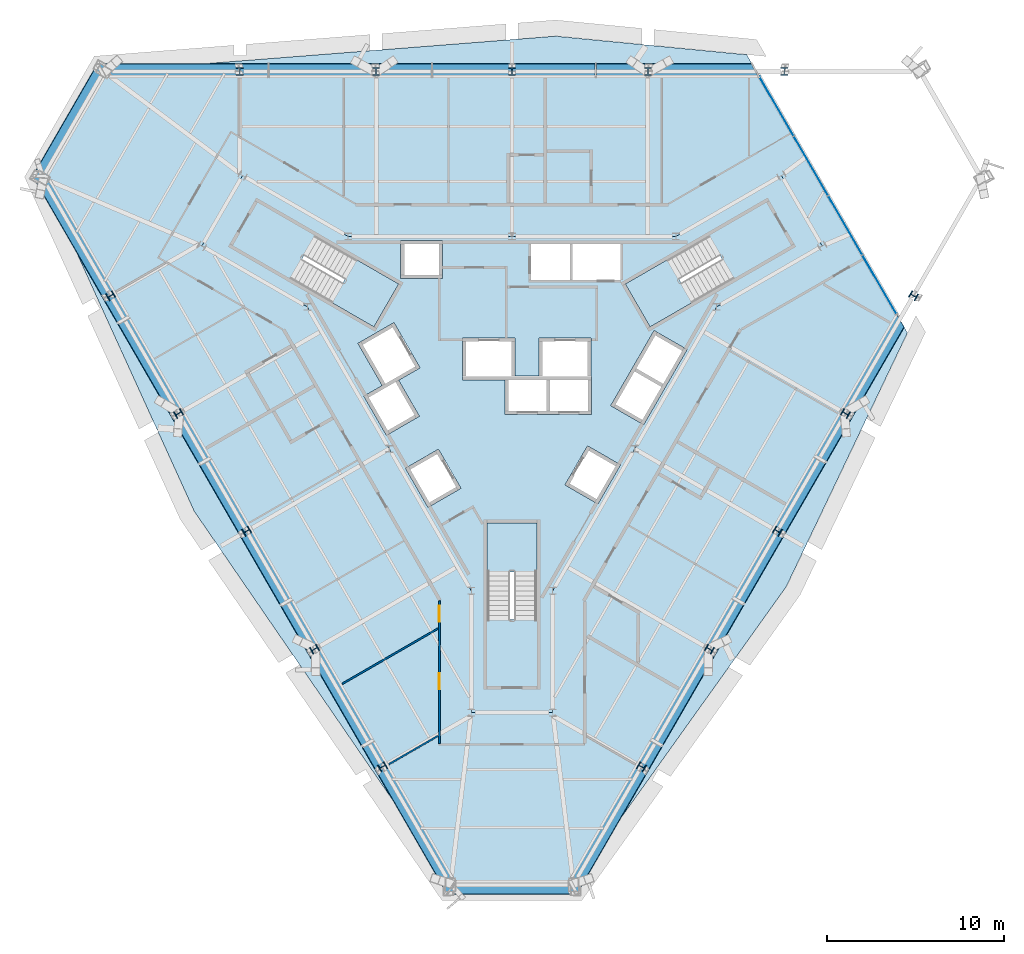
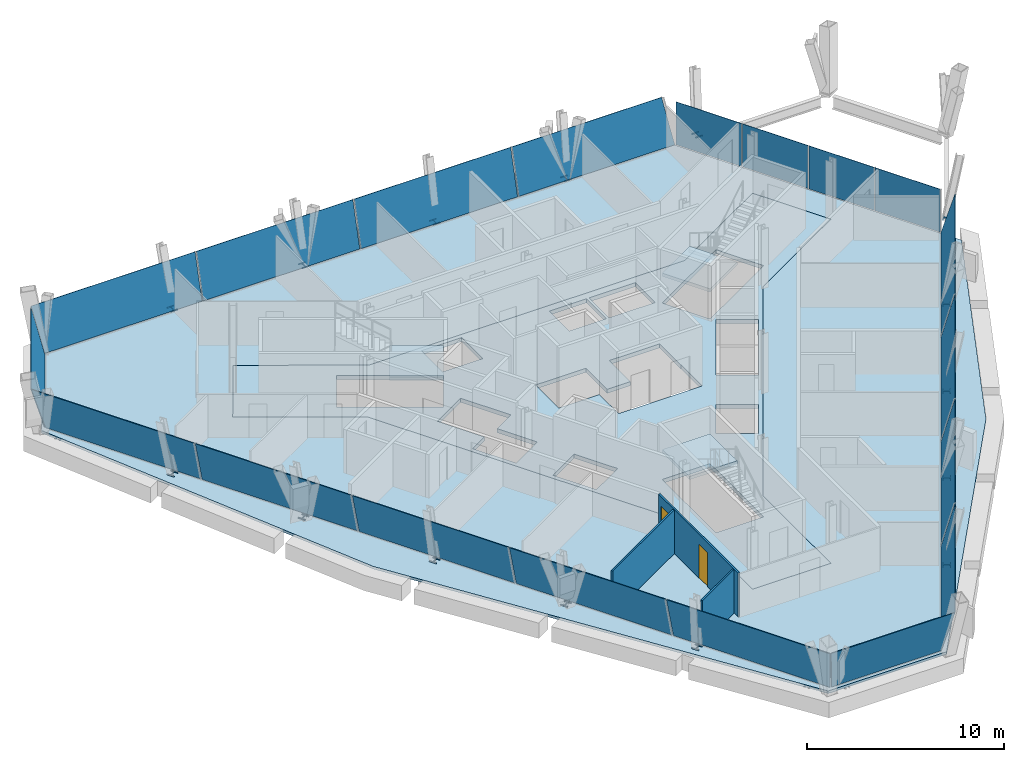
# One storey, part 6 of 12: 19 plates, 15 members, 5 slabs, 3 walls, 2 doors, 2 openings, 9 elements without a shape of their own.
"""IFC4 building model written with IfcOpenShell, lengths in metres."""

from ifc_helpers import new_model, si_unit, direction, frame, frame_2d, origin, origin_2d, place, context, subcontext, project, spatial, polyline, rectangle, i_section, outline, extrude, material, layer, layer_set, material_profile, profile_set, type_object, element, fill, aggregate, save


model = new_model("IFC4")

# Units and contexts
model_context = context("Model", 3, precision=1e-05, world=origin(), true_north=direction((0.0, 1.0)))
body_context = subcontext(model_context, "Body", "Model", "MODEL_VIEW")
ifc_project = project(units=[si_unit("LENGTHUNIT", "METRE"), si_unit("AREAUNIT", "SQUARE_METRE"), si_unit("VOLUMEUNIT", "CUBIC_METRE"), si_unit("PLANEANGLEUNIT", "RADIAN"), si_unit("MASSUNIT", "GRAM", prefix="KILO")], contexts=[model_context])

# Site, building, storey
site_placement = place(None, origin())
site = spatial("IfcSite", under=ifc_project, at=site_placement, CompositionType="ELEMENT")
building_placement = place(site_placement, origin())
building = spatial("IfcBuilding", under=site, at=building_placement, Name="Verrane Prism Tower", CompositionType="ELEMENT")
storey_placement = place(building_placement, frame((0.0, 0.0, 174.699951171875)))
storey = spatial("IfcBuildingStorey", under=building, at=storey_placement, Name="L43", CompositionType="ELEMENT", Elevation=174.699951171875)

# Members
ifc_material_1 = material(Name="Steel A992", Category="steel")
ifc_material_profile = material_profile(ifc_material_1, i_section(OverallWidth=0.411376953125, OverallDepth=0.434326171875, WebThickness=0.035888671875, FlangeThickness=0.057373046875, FilletRadius=0.01513671875, at=origin_2d()), Name="W14x311")
ifc_profile_set = profile_set([ifc_material_profile], Name="Steel A992")
member_type = type_object("IfcMemberType", Name="Kink node W14x311", PredefinedType="COLLAR", material=ifc_profile_set)
member_1_placement = place(storey_placement, frame((15.371337890625, 17.313720703125, -0.0400390625), z_axis=(0.0, 0.0, 1.0), x_axis=(1.0, 0.0, 0.0)))
element("IfcMember", 1, at=member_1_placement, inside=storey, type_object=member_type, Name="Kink node PC6 L43", PredefinedType="COLLAR", context=body_context, shape_type="SweptSolid", body=[
    extrude(i_section(OverallWidth=0.411376953125, OverallDepth=0.434326171875, WebThickness=0.035888671875, FlangeThickness=0.057373046875, FilletRadius=0.01513671875, at=origin_2d()), origin(), (0.0, 0.0, 1.0), 0.080078125),
])
for number, where, z_axis, x_axis, name in (
    (2, (7.6806640625, 17.313232421875, -0.034912109375), (0.0, 0.0, 1.0), (1.0, 0.0, 0.0), "Kink node PC6 L43"),
    (3, (0.0, 17.313232421875, -0.034912109375), (0.0, 0.0, 1.0), (1.0, 0.0, 0.0), "Kink node PC6 L43"),
    (4, (-7.6806640625, 17.313232421875, -0.034912109375), (0.0, 0.0, 1.0), (1.0, 0.0, 0.0), "Kink node PC6 L43"),
):
    element("IfcMember", number, at=place(storey_placement, frame(where, z_axis=z_axis, x_axis=x_axis)), inside=storey, type_object=member_type, Name=name, PredefinedType="COLLAR", context=body_context, shape_type="SweptSolid", body=[
        extrude(i_section(OverallWidth=0.411376953125, OverallDepth=0.434326171875, WebThickness=0.035888671875, FlangeThickness=0.057373046875, FilletRadius=0.01513671875, at=origin_2d()), origin(), (0.0, 0.0, 1.0), 0.070068359375),
    ])
for number, where, z_axis, x_axis, name in (
    (5, (-15.371337890625, 17.313720703125, -0.0400390625), (0.0, 0.0, 1.0), (1.0, 0.0, 0.0), "Kink node PC6 L43"),
    (6, (7.3125, -21.963134765625, -0.0400390625), (0.0, 0.0, 1.0), (-0.5, -0.866025403784, 0.0), "Kink node PC6 L43"),
):
    element("IfcMember", number, at=place(storey_placement, frame(where, z_axis=z_axis, x_axis=x_axis)), inside=storey, type_object=member_type, Name=name, PredefinedType="COLLAR", context=body_context, shape_type="SweptSolid", body=[
        extrude(i_section(OverallWidth=0.411376953125, OverallDepth=0.434326171875, WebThickness=0.035888671875, FlangeThickness=0.057373046875, FilletRadius=0.01513671875, at=origin_2d()), origin(), (0.0, 0.0, 1.0), 0.080078125),
    ])
for number, where, z_axis, x_axis, name in (
    (7, (11.152587890625, -15.312255859375, -0.034912109375), (0.0, 0.0, 1.0), (-0.5, -0.866025403784, 0.0), "Kink node PC6 L43"),
    (8, (14.992919921875, -8.651611328125, -0.034912109375), (0.0, 0.0, 1.0), (-0.5, -0.866025403784, 0.0), "Kink node PC6 L43"),
    (9, (18.833251953125, -2.001220703125, -0.034912109375), (0.0, 0.0, 1.0), (-0.5, -0.866025403784, 0.0), "Kink node PC6 L43"),
):
    element("IfcMember", number, at=place(storey_placement, frame(where, z_axis=z_axis, x_axis=x_axis)), inside=storey, type_object=member_type, Name=name, PredefinedType="COLLAR", context=body_context, shape_type="SweptSolid", body=[
        extrude(i_section(OverallWidth=0.411376953125, OverallDepth=0.434326171875, WebThickness=0.035888671875, FlangeThickness=0.057373046875, FilletRadius=0.01513671875, at=origin_2d()), origin(), (0.0, 0.0, 1.0), 0.070068359375),
    ])
for number, where, z_axis, x_axis, name in (
    (10, (22.674072265625, 4.6494140625, -0.0400390625), (0.0, 0.0, 1.0), (-0.5, -0.866025403784, 0.0), "Kink node PC6 L43"),
    (11, (-22.674072265625, 4.6494140625, -0.0400390625), (0.0, 0.0, 1.0), (-0.5, 0.866025403784, 0.0), "Kink node PC6 L43"),
):
    element("IfcMember", number, at=place(storey_placement, frame(where, z_axis=z_axis, x_axis=x_axis)), inside=storey, type_object=member_type, Name=name, PredefinedType="COLLAR", context=body_context, shape_type="SweptSolid", body=[
        extrude(i_section(OverallWidth=0.411376953125, OverallDepth=0.434326171875, WebThickness=0.035888671875, FlangeThickness=0.057373046875, FilletRadius=0.01513671875, at=origin_2d()), origin(), (0.0, 0.0, 1.0), 0.080078125),
    ])
for number, where, z_axis, x_axis, name in (
    (12, (-18.833251953125, -2.001220703125, -0.034912109375), (0.0, 0.0, 1.0), (-0.5, 0.866025403784, 0.0), "Kink node PC6 L43"),
    (13, (-14.992919921875, -8.651611328125, -0.034912109375), (0.0, 0.0, 1.0), (-0.5, 0.866025403784, 0.0), "Kink node PC6 L43"),
    (14, (-11.152587890625, -15.312255859375, -0.034912109375), (0.0, 0.0, 1.0), (-0.5, 0.866025403784, 0.0), "Kink node PC6 L43"),
):
    element("IfcMember", number, at=place(storey_placement, frame(where, z_axis=z_axis, x_axis=x_axis)), inside=storey, type_object=member_type, Name=name, PredefinedType="COLLAR", context=body_context, shape_type="SweptSolid", body=[
        extrude(i_section(OverallWidth=0.411376953125, OverallDepth=0.434326171875, WebThickness=0.035888671875, FlangeThickness=0.057373046875, FilletRadius=0.01513671875, at=origin_2d()), origin(), (0.0, 0.0, 1.0), 0.070068359375),
    ])
member_2_placement = place(storey_placement, frame((-7.3125, -21.963134765625, -0.0400390625), z_axis=(0.0, 0.0, 1.0), x_axis=(-0.5, 0.866025403784, 0.0)))
element("IfcMember", 15, at=member_2_placement, inside=storey, type_object=member_type, Name="Kink node PC6 L43", PredefinedType="COLLAR", context=body_context, shape_type="SweptSolid", body=[
    extrude(i_section(OverallWidth=0.411376953125, OverallDepth=0.434326171875, WebThickness=0.035888671875, FlangeThickness=0.057373046875, FilletRadius=0.01513671875, at=origin_2d()), origin(), (0.0, 0.0, 1.0), 0.080078125),
])

# Slabs
ifc_material_2 = material(Name="Concrete C35/45", Category="concrete")
ifc_layer_1 = layer(ifc_material_2, 0.159912109375)
ifc_layer_set_1 = layer_set([ifc_layer_1], Name="Composite floor slab")
slab_type_1 = type_object("IfcSlabType", Name="Composite floor slab", PredefinedType="FLOOR", material=ifc_layer_set_1)
slab_1_placement = place(storey_placement, frame((0.0, 0.0, -0.159912109375)))
element("IfcSlab", 16, at=slab_1_placement, inside=storey, type_object=slab_type_1, Name="Floor slab L43", PredefinedType="FLOOR", context=body_context, shape_type="SweptSolid", body=[
    extrude(outline(polyline([(15.49365234375, -11.7841796875), (3.467041015625, -28.614990234375), (-3.467041015625, -28.614990234375), (-17.9521484375, -7.52587890625), (-26.514892578125, 11.304931640625), (-23.0478515625, 17.31005859375), (2.45849609375, 19.31005859375), (13.261474609375, 18.260498046875), (22.333984375, 2.54638671875), (15.49365234375, -11.7841796875)]), holes=[polyline([(17.52001953125, 7.4599609375), (15.219970703125, 11.43994140625), (9.260009765625, 8.0), (0.0, 8.0), (-9.260009765625, 8.0), (-15.219970703125, 11.43994140625), (-17.52001953125, 7.4599609375), (-11.56005859375, 4.02001953125), (-6.929931640625, -4.0), (-2.300048828125, -12.02001953125), (-2.300048828125, -18.89990234375), (2.300048828125, -18.89990234375), (2.300048828125, -12.02001953125), (6.929931640625, -4.0), (11.56005859375, 4.02001953125), (17.52001953125, 7.4599609375)])]), origin(), (0.0, 0.0, 1.0), 0.159912109375),
])
ifc_material_3 = material(Name="Concrete C40/50", Category="concrete")
ifc_layer_2 = layer(ifc_material_3, 0.25)
ifc_layer_set_2 = layer_set([ifc_layer_2], Name="Core floor slab 250 concrete C40/50")
slab_type_2 = type_object("IfcSlabType", Name="Core floor slab 250 concrete C40/50", PredefinedType="FLOOR", material=ifc_layer_set_2)
slab_2_placement = place(storey_placement, frame((0.0, 0.0, -0.25)))
element("IfcSlab", 17, at=slab_2_placement, inside=storey, type_object=slab_type_2, Name="Core floor L43", PredefinedType="FLOOR", context=body_context, shape_type="SweptSolid", body=[
    extrude(outline(polyline([(11.56005859375, 4.02001953125), (17.52001953125, 7.4599609375), (15.219970703125, 11.43994140625), (9.260009765625, 8.0), (0.0, 8.0), (-9.260009765625, 8.0), (-15.219970703125, 11.43994140625), (-17.52001953125, 7.4599609375), (-11.56005859375, 4.02001953125), (-6.929931640625, -4.0), (-2.300048828125, -12.02001953125), (-2.300048828125, -18.89990234375), (2.300048828125, -18.89990234375), (2.300048828125, -12.02001953125), (6.929931640625, -4.0), (11.56005859375, 4.02001953125)]), holes=[polyline([(1.39990234375, -8.199951171875), (1.39990234375, -13.639892578125), (-1.39990234375, -13.639892578125), (-1.39990234375, -8.199951171875), (1.39990234375, -8.199951171875)]), polyline([(-2.881103515625, -6.22998046875), (-4.742919921875, -7.304931640625), (-6.01806640625, -5.096923828125), (-4.156005859375, -4.02197265625), (-2.881103515625, -6.22998046875)]), polyline([(-7.801025390625, 2.887939453125), (-12.512939453125, 5.60791015625), (-11.113037109375, 8.031982421875), (-6.40087890625, 5.31201171875), (-7.801025390625, 2.887939453125)]), polyline([(-6.284912109375, 5.610107421875), (-6.284912109375, 7.760009765625), (-3.93505859375, 7.760009765625), (-3.93505859375, 5.610107421875), (-6.284912109375, 5.610107421875)]), polyline([(4.26611328125, -3.8310546875), (6.1279296875, -4.906005859375), (4.85302734375, -7.114990234375), (2.990966796875, -6.0400390625), (4.26611328125, -3.8310546875)]), polyline([(7.43798828125, -2.636962890625), (5.575927734375, -1.56201171875), (8.02587890625, 2.680908203125), (9.887939453125, 1.60595703125), (7.43798828125, -2.636962890625)]), polyline([(0.1650390625, 0.10009765625), (1.52490234375, 0.10009765625), (1.52490234375, 2.25), (4.47509765625, 2.25), (4.47509765625, 0.10009765625), (4.4951171875, 0.10009765625), (4.4951171875, -2.050048828125), (-0.405029296875, -2.050048828125), (-0.405029296875, -0.10009765625), (-2.784912109375, -0.10009765625), (-2.784912109375, 2.25), (0.1650390625, 2.25), (0.1650390625, 0.10009765625)]), polyline([(6.40087890625, 5.31201171875), (11.113037109375, 8.031982421875), (12.512939453125, 5.60791015625), (7.801025390625, 2.887939453125), (6.40087890625, 5.31201171875)]), polyline([(1.074951171875, 5.534912109375), (1.074951171875, 7.56005859375), (3.264892578125, 7.56005859375), (3.264892578125, 5.534912109375), (1.074951171875, 5.534912109375)]), polyline([(3.4150390625, 7.56005859375), (6.125, 7.56005859375), (6.125, 5.534912109375), (3.4150390625, 5.534912109375), (3.4150390625, 7.56005859375)]), polyline([(-5.23095703125, -2.159912109375), (-7.093017578125, -3.235107421875), (-8.367919921875, -1.02587890625), (-7.3291015625, -0.426025390625), (-8.7041015625, 1.955078125), (-6.66796875, 3.1298828125), (-5.193115234375, 0.574951171875), (-6.406005859375, -0.125), (-5.23095703125, -2.159912109375)])]), origin(), (0.0, 0.0, 1.0), 0.25),
])

# Curtain wall, plates
ifc_material_4 = material(Name="Aluminium framed insulated glazing", Category="aluminium")
curtain_wall_type_1 = type_object("IfcCurtainWallType", Name="Curtain wall CW-C 4200 module", PredefinedType="NOTDEFINED", material=ifc_material_4)
curtain_wall_1_placement = place(storey_placement, origin())
curtain_wall_1 = element("IfcCurtainWall", 18, at=curtain_wall_1_placement, inside=storey, type_object=curtain_wall_type_1, Name="Glazed curtain wall garden cut line L43 1", PredefinedType="NOTDEFINED")
ifc_material_5 = material(Name="Low-iron insulating glass unit", Category="glass")
ifc_layer_3 = layer(ifc_material_5, 0.02392578125)
ifc_layer_set_3 = layer_set([ifc_layer_3], Name="Glazing panel IGU 24")
plate_type_1 = type_object("IfcPlateType", Name="Glazing panel IGU 24", PredefinedType="CURTAIN_PANEL", material=ifc_layer_set_3)
plate_1_placement = place(storey_placement, frame((20.75830078125, 5.275634765625, 0.05029296875), z_axis=(0.0, 0.0, 1.0), x_axis=(-0.499998595862, 0.866026214463, 0.0)))
plate_1 = element("IfcPlate", 19, at=plate_1_placement, type_object=plate_type_1, Name="CW42.1.1 panel 1", PredefinedType="CURTAIN_PANEL", context=body_context, shape_type="SweptSolid", body=[
    extrude(rectangle(XDim=3.806884765625, YDim=0.02392578125, at=origin_2d()), origin(), (0.0, 0.0, 1.0), 2.662841796875),
])
plate_2_placement = place(storey_placement, frame((18.823486328125, 8.626708984375, 0.05029296875), z_axis=(0.0, 0.0, 1.0), x_axis=(-0.499998595862, 0.866026214463, 0.0)))
plate_2 = element("IfcPlate", 20, at=plate_2_placement, type_object=plate_type_1, Name="CW42.1.1 panel 2", PredefinedType="CURTAIN_PANEL", context=body_context, shape_type="SweptSolid", body=[
    extrude(rectangle(XDim=3.831787109375, YDim=0.02392578125, at=origin_2d()), origin(), (0.0, 0.0, 1.0), 2.662841796875),
])
plate_3_placement = place(storey_placement, frame((16.882568359375, 11.98828125, 0.05029296875), z_axis=(0.0, 0.0, 1.0), x_axis=(-0.499998595862, 0.866026214463, 0.0)))
plate_3 = element("IfcPlate", 21, at=plate_3_placement, type_object=plate_type_1, Name="CW42.1.1 panel 3", PredefinedType="CURTAIN_PANEL", context=body_context, shape_type="SweptSolid", body=[
    extrude(rectangle(XDim=3.831787109375, YDim=0.02392578125, at=origin_2d()), origin(), (0.0, 0.0, 1.0), 2.662841796875),
])
plate_4_placement = place(storey_placement, frame((14.935546875, 15.36083984375, 0.05029296875), z_axis=(0.0, 0.0, 1.0), x_axis=(-0.499998595862, 0.866026214463, 0.0)))
plate_4 = element("IfcPlate", 22, at=plate_4_placement, type_object=plate_type_1, Name="CW42.1.1 panel 4", PredefinedType="CURTAIN_PANEL", context=body_context, shape_type="SweptSolid", body=[
    extrude(rectangle(XDim=3.856689453125, YDim=0.02392578125, at=origin_2d()), origin(), (0.0, 0.0, 1.0), 2.662841796875),
])
aggregate(curtain_wall_1, [plate_1, plate_2, plate_3, plate_4])

ifc_material_6 = material(Name="Aluminium framed insulated glazing", Category="aluminium")
curtain_wall_type_2 = type_object("IfcCurtainWallType", Name="Curtain wall CW-A 8400 module", PredefinedType="NOTDEFINED", material=ifc_material_6)
curtain_wall_2_placement = place(storey_placement, origin())
curtain_wall_2 = element("IfcCurtainWall", 23, at=curtain_wall_2_placement, inside=storey, type_object=curtain_wall_type_2, Name="Glazed curtain wall north face L43", PredefinedType="NOTDEFINED")
ifc_material_7 = material(Name="Low-iron insulating glass unit", Category="glass")
ifc_layer_4 = layer(ifc_material_7, 0.031982421875)
ifc_layer_set_4 = layer_set([ifc_layer_4], Name="Glazing panel IGU 32")
plate_type_2 = type_object("IfcPlateType", Name="Glazing panel IGU 32", PredefinedType="CURTAIN_PANEL", material=ifc_layer_set_4)
plate_5_placement = place(storey_placement, frame((13.9013671875, 17.031005859375, 0.070068359375), z_axis=(0.0, -0.966670784166, 0.256022645562), x_axis=(-1.0, 0.0, 0.0)))
plate_5 = element("IfcPlate", 24, at=plate_5_placement, type_object=plate_type_2, Name="CW42.2 panel 1", PredefinedType="CURTAIN_PANEL", context=body_context, shape_type="SweptSolid", body=[
    extrude(outline(polyline([(0.0, 0.0), (9.138916015625, 0.0), (9.138916015625, -2.733942422709821), (0.369140625, -2.733942422709821), (0.0, 0.0)])), origin(), (0.0, 0.0, -1.0), 0.031982421875),
])
plate_6_placement = place(storey_placement, frame((4.6923828125, 17.031005859375, 0.070068359375), z_axis=(0.0, -0.966670784166, 0.256022645562), x_axis=(-1.0, 0.0, 0.0)))
plate_6 = element("IfcPlate", 25, at=plate_6_placement, type_object=plate_type_2, Name="CW42.2 panel 2", PredefinedType="CURTAIN_PANEL", context=body_context, shape_type="SweptSolid", body=[
    extrude(outline(polyline([(0.0, 0.0), (9.173828125, 0.0), (9.173828125, -2.733942422709821), (0.0, -2.733942422709821), (0.0, 0.0)])), origin(), (0.0, 0.0, -1.0), 0.031982421875),
])
plate_7_placement = place(storey_placement, frame((-4.55126953125, 17.031005859375, 0.070068359375), z_axis=(0.0, -0.966670784166, 0.256022645562), x_axis=(-1.0, 0.0, 0.0)))
plate_7 = element("IfcPlate", 26, at=plate_7_placement, type_object=plate_type_2, Name="CW42.2 panel 3", PredefinedType="CURTAIN_PANEL", context=body_context, shape_type="SweptSolid", body=[
    extrude(outline(polyline([(0.0, 0.0), (9.173828125, 0.0), (9.173828125, -2.733942422709821), (0.0, -2.733942422709821), (0.0, 0.0)])), origin(), (0.0, 0.0, -1.0), 0.031982421875),
])
plate_8_placement = place(storey_placement, frame((-13.795166015625, 17.031005859375, 0.070068359375), z_axis=(0.0, -0.966670784166, 0.256022645562), x_axis=(-1.0, 0.0, 0.0)))
plate_8 = element("IfcPlate", 27, at=plate_8_placement, type_object=plate_type_2, Name="CW42.2 panel 4", PredefinedType="CURTAIN_PANEL", context=body_context, shape_type="SweptSolid", body=[
    extrude(outline(polyline([(0.0, 0.0), (9.208740234375, 0.0), (9.61328125, -2.733942422709821), (0.0, -2.733942422709821), (0.0, 0.0)])), origin(), (0.0, 0.0, -1.0), 0.031982421875),
])
aggregate(curtain_wall_2, [plate_5, plate_6, plate_7, plate_8])

# Curtain wall, plate
curtain_wall_3_placement = place(storey_placement, origin())
curtain_wall_3 = element("IfcCurtainWall", 28, at=curtain_wall_3_placement, inside=storey, type_object=curtain_wall_type_2, Name="Glazed curtain wall north-west corner L43", PredefinedType="NOTDEFINED")
plate_9_placement = place(storey_placement, frame((-23.0390625, 16.970458984375, 0.070068359375), z_axis=(0.837141006518, -0.483325264665, 0.25610861708), x_axis=(-0.499999698245, -0.866025577975, -6.993259e-06)))
plate_9 = element("IfcPlate", 29, at=plate_9_placement, type_object=plate_type_2, Name="CW42.3 panel 1", PredefinedType="CURTAIN_PANEL", context=body_context, shape_type="SweptSolid", body=[
    extrude(outline(polyline([(0.0, 0.0), (6.42461400191589, 1.1102230246251565e-16), (6.828680718952121, -2.734056235199825), (-0.43905241302016595, -2.7339571772921714), (0.0, 0.0)])), origin(), (0.0, 0.0, -1.0), 0.031982421875),
])
aggregate(curtain_wall_3, [plate_9])

# Curtain wall, plates
curtain_wall_4_placement = place(storey_placement, origin())
curtain_wall_4 = element("IfcCurtainWall", 30, at=curtain_wall_4_placement, inside=storey, type_object=curtain_wall_type_2, Name="Glazed curtain wall south-west face L43", PredefinedType="NOTDEFINED")
plate_10_placement = place(storey_placement, frame((-26.21630859375, 11.345947265625, 0.070068359375), z_axis=(0.837157217861, 0.483340688014, 0.256026506231), x_axis=(0.500005694793, -0.866022115868, 1.36295e-06)))
plate_10 = element("IfcPlate", 31, at=plate_10_placement, type_object=plate_type_2, Name="CW42.4 panel 1", PredefinedType="CURTAIN_PANEL", context=body_context, shape_type="SweptSolid", body=[
    extrude(outline(polyline([(0.0, 0.0), (9.096657160358006, 2.220446049250313e-16), (9.096537606110292, -2.7339324889658077), (-0.43939386621945303, -2.7339587598666073), (0.0, 0.0)])), origin(), (0.0, 0.0, -1.0), 0.031982421875),
])
plate_11_placement = place(storey_placement, frame((-21.633056640625, 3.407470703125, 0.070068359375), z_axis=(0.837149666941, 0.483340734476, 0.256051107275), x_axis=(0.500009425886, -0.866019961678, 0.0)))
plate_11 = element("IfcPlate", 32, at=plate_11_placement, type_object=plate_type_2, Name="CW42.4 panel 2", PredefinedType="CURTAIN_PANEL", context=body_context, shape_type="SweptSolid", body=[
    extrude(outline(polyline([(0.0, 0.0), (9.131663789453372, 2.220446049250313e-16), (9.131749048381865, -2.733963743378566), (8.525892849398087e-05, -2.7339637433785664), (0.0, 0.0)])), origin(), (0.0, 0.0, -1.0), 0.031982421875),
])
plate_12_placement = place(storey_placement, frame((-17.0322265625, -4.561279296875, 0.070068359375), z_axis=(0.837157682867, 0.483337901829, 0.25603024562), x_axis=(0.500003258005, -0.866023522764, 1.654216e-06)))
plate_12 = element("IfcPlate", 33, at=plate_12_placement, type_object=plate_type_2, Name="CW42.4 panel 3", PredefinedType="CURTAIN_PANEL", context=body_context, shape_type="SweptSolid", body=[
    extrude(outline(polyline([(0.0, 0.0), (9.13187522073339, 0.0), (9.131758405641133, -2.7339324888764436), (9.461643185395561e-05, -2.7339637424340895), (0.0, 0.0)])), origin(), (0.0, 0.0, -1.0), 0.031982421875),
])
plate_13_placement = place(storey_placement, frame((-12.431396484375, -12.5302734375, 0.070068359375), z_axis=(0.837156544759, 0.483331783212, 0.256045517252), x_axis=(0.500000057343, -0.866025370672, -2.865392e-06)))
plate_13 = element("IfcPlate", 34, at=plate_13_placement, type_object=plate_type_2, Name="CW42.4 panel 4", PredefinedType="CURTAIN_PANEL", context=body_context, shape_type="SweptSolid", body=[
    extrude(outline(polyline([(0.0, 0.0), (9.131663788881559, 0.0), (9.131415545685213, -2.733986623058674), (-0.000126172869845251, -2.733932487187323), (0.0, 0.0)])), origin(), (0.0, 0.0, -1.0), 0.031982421875),
])
plate_14_placement = place(storey_placement, frame((-7.83056640625, -20.4990234375, 0.070068359375), z_axis=(0.837156506517, 0.483330481465, 0.256048099549), x_axis=(0.499998352708, -0.866026354847, 2.37583e-07)))
plate_14 = element("IfcPlate", 35, at=plate_14_placement, type_object=plate_type_2, Name="CW42.4 panel 5", PredefinedType="CURTAIN_PANEL", context=body_context, shape_type="SweptSolid", body=[
    extrude(outline(polyline([(0.0, 0.0), (9.16654834706683, -2.220446049250313e-16), (9.570910867526594, -2.733959137855069), (9.483762467512151e-05, -2.7339637430498436), (0.0, 0.0)])), origin(), (0.0, 0.0, -1.0), 0.031982421875),
])
aggregate(curtain_wall_4, [plate_10, plate_11, plate_12, plate_13, plate_14])

# Curtain wall, plate
curtain_wall_5_placement = place(storey_placement, origin())
curtain_wall_5 = element("IfcCurtainWall", 36, at=curtain_wall_5_placement, inside=storey, type_object=curtain_wall_type_2, Name="Glazed curtain wall south corner L43", PredefinedType="NOTDEFINED")
plate_15_placement = place(storey_placement, frame((-3.17724609375, -28.4375, 0.070068359375), z_axis=(0.0, 0.966648680287, 0.256106089151), x_axis=(1.0, 0.0, 0.0)))
plate_15 = element("IfcPlate", 37, at=plate_15_placement, type_object=plate_type_2, Name="CW42.5 panel 1", PredefinedType="CURTAIN_PANEL", context=body_context, shape_type="SweptSolid", body=[
    extrude(outline(polyline([(0.0, 0.0), (6.424560546875, 0.0), (6.82861328125, -2.7340049384246234), (-0.43896484375, -2.7340049384246234), (0.0, 0.0)])), origin(), (0.0, 0.0, -1.0), 0.031982421875),
])
aggregate(curtain_wall_5, [plate_15])

# Curtain wall, plates
curtain_wall_6_placement = place(storey_placement, origin())
curtain_wall_6 = element("IfcCurtainWall", 38, at=curtain_wall_6_placement, inside=storey, type_object=curtain_wall_type_2, Name="Glazed curtain wall south-east face L43", PredefinedType="NOTDEFINED")
plate_16_placement = place(storey_placement, frame((3.2822265625, -28.376953125, 0.070068359375), z_axis=(-0.837151023292, 0.48334709954, 0.256034656964), x_axis=(0.500013457668, 0.866017633856, -1.303452e-06)))
plate_16 = element("IfcPlate", 39, at=plate_16_placement, type_object=plate_type_2, Name="CW42.6 panel 1", PredefinedType="CURTAIN_PANEL", context=body_context, shape_type="SweptSolid", body=[
    extrude(outline(polyline([(0.0, 0.0), (9.13899207556376, 0.0), (9.138906630880136, -2.7339637429768846), (-0.43935975753726997, -2.7339385046839504), (0.0, 0.0)])), origin(), (0.0, 0.0, -1.0), 0.031982421875),
])
plate_17_placement = place(storey_placement, frame((7.88671875, -20.40185546875, 0.070068359375), z_axis=(-0.837156403249, 0.483329067182, 0.256051106846), x_axis=(0.49999735617, 0.866026930195, 0.0)))
plate_17 = element("IfcPlate", 40, at=plate_17_placement, type_object=plate_type_2, Name="CW42.6 panel 2", PredefinedType="CURTAIN_PANEL", context=body_context, shape_type="SweptSolid", body=[
    extrude(outline(polyline([(0.0, 0.0), (9.173876633332105, 0.0), (9.173781618066473, -2.733963743056905), (-9.501526563238105e-05, -2.7339637430569055), (0.0, 0.0)])), origin(), (0.0, 0.0, -1.0), 0.031982421875),
])
plate_18_placement = place(storey_placement, frame((12.508544921875, -12.396484375, 0.070068359375), z_axis=(-0.837156403249, 0.483329067182, 0.256051106846), x_axis=(0.49999735617, 0.866026930195, 0.0)))
plate_18 = element("IfcPlate", 41, at=plate_18_placement, type_object=plate_type_2, Name="CW42.6 panel 3", PredefinedType="CURTAIN_PANEL", context=body_context, shape_type="SweptSolid", body=[
    extrude(outline(polyline([(0.0, 0.0), (9.173876633332105, 0.0), (9.173781618066473, -2.733963743056905), (-9.501526563238105e-05, -2.7339637430569055), (0.0, 0.0)])), origin(), (0.0, 0.0, -1.0), 0.031982421875),
])
plate_19_placement = place(storey_placement, frame((17.130615234375, -4.39111328125, 0.070068359375), z_axis=(-0.837174108133, 0.483322683793, 0.256005265578), x_axis=(0.499984547091, 0.866034325342, 3.23859e-07)))
plate_19 = element("IfcPlate", 42, at=plate_19_placement, type_object=plate_type_2, Name="CW42.6 panel 4", PredefinedType="CURTAIN_PANEL", context=body_context, shape_type="SweptSolid", body=[
    extrude(outline(polyline([(0.0, 0.0), (9.208761192676286, -4.440892098500626e-16), (8.804600431068808, -2.7339264550257214), (0.00010692089530082611, -2.733932489893132), (0.0, 0.0)])), origin(), (0.0, 0.0, -1.0), 0.031982421875),
])
aggregate(curtain_wall_6, [plate_16, plate_17, plate_18, plate_19])

# Stair, slab
ifc_material_8 = material(Name="Concrete C40/50", Category="concrete")
stair_type = type_object("IfcStairType", Name="Exit stair 1300 dog-leg precast concrete C40/50", PredefinedType="HALF_TURN_STAIR", material=ifc_material_8)
stair_1_placement = place(storey_placement, origin())
stair_1 = element("IfcStair", 43, at=stair_1_placement, inside=storey, type_object=stair_type, Name="Stair 1 L43", PredefinedType="HALF_TURN_STAIR")
ifc_material_9 = material(Name="Concrete C40/50", Category="concrete")
ifc_layer_5 = layer(ifc_material_9, 0.199951171875)
ifc_layer_set_5 = layer_set([ifc_layer_5], Name="Stair landing 200 precast concrete C40/50")
slab_type_3 = type_object("IfcSlabType", Name="Stair landing 200 precast concrete C40/50", PredefinedType="LANDING", material=ifc_layer_set_5)
slab_3_placement = place(storey_placement, frame((0.0, 0.0, 1.650146484375)))
slab_3 = element("IfcSlab", 44, at=slab_3_placement, type_object=slab_type_3, Name="Stair 1 landing 1", PredefinedType="LANDING", context=body_context, shape_type="SweptSolid", body=[
    extrude(outline(polyline([(8.791748046875, 6.6923828125), (6.4013671875, 5.3125), (7.801513671875, 2.887451171875), (10.191650390625, 4.267578125), (8.791748046875, 6.6923828125)])), origin(), (0.0, 0.0, 1.0), 0.199951171875),
])
aggregate(stair_1, [slab_3])

stair_2_placement = place(storey_placement, origin())
stair_2 = element("IfcStair", 45, at=stair_2_placement, inside=storey, type_object=stair_type, Name="Stair 2 L43", PredefinedType="HALF_TURN_STAIR")
slab_4_placement = place(storey_placement, frame((0.0, 0.0, 1.650146484375)))
slab_4 = element("IfcSlab", 46, at=slab_4_placement, type_object=slab_type_3, Name="Stair 2 landing 1", PredefinedType="LANDING", context=body_context, shape_type="SweptSolid", body=[
    extrude(outline(polyline([(-10.191650390625, 4.267578125), (-7.801513671875, 2.887451171875), (-6.4013671875, 5.3125), (-8.791748046875, 6.6923828125), (-10.191650390625, 4.267578125)])), origin(), (0.0, 0.0, 1.0), 0.199951171875),
])
aggregate(stair_2, [slab_4])

stair_3_placement = place(storey_placement, origin())
stair_3 = element("IfcStair", 47, at=stair_3_placement, inside=storey, type_object=stair_type, Name="Stair 3 L43", PredefinedType="HALF_TURN_STAIR")
slab_5_placement = place(storey_placement, frame((0.0, 0.0, 1.650146484375)))
slab_5 = element("IfcSlab", 48, at=slab_5_placement, type_object=slab_type_3, Name="Stair 3 landing 1", PredefinedType="LANDING", context=body_context, shape_type="SweptSolid", body=[
    extrude(outline(polyline([(1.39990234375, -10.9599609375), (1.39990234375, -8.199951171875), (-1.39990234375, -8.199951171875), (-1.39990234375, -10.9599609375), (1.39990234375, -10.9599609375)])), origin(), (0.0, 0.0, 1.0), 0.199951171875),
])
aggregate(stair_3, [slab_5])

# Walls
ifc_material_10 = material(Name="Gypsum board partition", Category="other")
ifc_layer_6 = layer(ifc_material_10, 0.10009765625)
ifc_layer_set_6 = layer_set([ifc_layer_6], Name="PW-100 room partition")
wall_type = type_object("IfcWallType", Name="PW-100 room partition", PredefinedType="PARTITIONING", material=ifc_layer_set_6)
wall_1_placement = place(storey_placement, frame((-9.583740234375, -17.27099609375, 0.0), z_axis=(0.0, 0.0, 1.0), x_axis=(0.866018935351, 0.500011203488, 0.0)))
element("IfcWall", 49, at=wall_1_placement, inside=storey, type_object=wall_type, Name="Room partition 015", PredefinedType="PARTITIONING", context=body_context, shape_type="SweptSolid", body=[
    extrude(rectangle(XDim=6.245361328125, YDim=0.10009765625, at=frame_2d((3.12255859375, 0.0))), origin(), (0.0, 0.0, 1.0), 2.713134765625),
])
wall_2_placement = place(storey_placement, frame((-6.95751953125, -21.81982421875, 0.0), z_axis=(0.0, 0.0, 1.0), x_axis=(0.86602741148, 0.499996522553, 0.0)))
element("IfcWall", 50, at=wall_2_placement, inside=storey, type_object=wall_type, Name="Room partition 018", PredefinedType="PARTITIONING", context=body_context, shape_type="SweptSolid", body=[
    extrude(rectangle(XDim=3.212890625, YDim=0.10009765625, at=frame_2d((1.6064453125, 0.0))), origin(), (0.0, 0.0, 1.0), 2.713134765625),
])

# Wall, openings, doors
wall_3_placement = place(storey_placement, frame((-4.10009765625, -20.64990234375, 0.0), z_axis=(0.0, 0.0, 1.0), x_axis=(0.0, 1.0, 0.0)))
wall_3 = element("IfcWall", 51, at=wall_3_placement, inside=storey, type_object=wall_type, Name="Room partition 019", PredefinedType="PARTITIONING", context=body_context, shape_type="SweptSolid", body=[
    extrude(rectangle(XDim=8.06298828125, YDim=0.10009765625, at=frame_2d((4.031494140625, 0.0))), origin(), (0.0, 0.0, 1.0), 2.713134765625),
])
opening_1_placement = place(wall_3_placement, frame((6.89501953125, 0.0, 0.0)))
opening_1 = element("IfcOpeningElement", 52, at=opening_1_placement, cuts=wall_3, Name="Opening D42016", PredefinedType="OPENING", context=body_context, shape_type="SweptSolid", body=[
    extrude(rectangle(XDim=0.89990234375, YDim=2.10009765625, at=frame_2d((0.449951171875, 1.050048828125))), frame((0.0, 0.06005859375, 0.0), z_axis=(0.0, -1.0, 0.0), x_axis=(1.0, 0.0, 0.0)), (0.0, 0.0, 1.0), 0.1201171875),
])
opening_2_placement = place(wall_3_placement, frame((3.080078125, 0.0, 0.0)))
opening_2 = element("IfcOpeningElement", 53, at=opening_2_placement, cuts=wall_3, Name="Opening D42017", PredefinedType="OPENING", context=body_context, shape_type="SweptSolid", body=[
    extrude(rectangle(XDim=0.89990234375, YDim=2.10009765625, at=frame_2d((0.449951171875, 1.050048828125))), frame((0.0, 0.06005859375, 0.0), z_axis=(0.0, -1.0, 0.0), x_axis=(1.0, 0.0, 0.0)), (0.0, 0.0, 1.0), 0.1201171875),
])
ifc_material_11 = material(Name="Timber veneered door leaf", Category="wood")
door_type = type_object("IfcDoorType", Name="DR-900x2100 single leaf unit", OperationType="NOTDEFINED", PredefinedType="DOOR", material=ifc_material_11)
door_1_placement = place(opening_1_placement, origin())
door_1 = element("IfcDoor", 54, at=door_1_placement, inside=storey, type_object=door_type, Name="Study door", OperationType="SINGLE_SWING_RIGHT", OverallHeight=2.10009765625, OverallWidth=0.89990234375, PredefinedType="DOOR", context=body_context, shape_type="SweptSolid", body=[
    extrude(rectangle(XDim=0.89990234375, YDim=2.10009765625, at=frame_2d((0.449951171875, 1.050048828125))), frame((0.0, 0.02490234375, 0.0), z_axis=(0.0, -1.0, 0.0), x_axis=(1.0, 0.0, 0.0)), (0.0, 0.0, 1.0), 0.050048828125),
])
fill(opening_1, door_1)
door_2_placement = place(opening_2_placement, origin())
door_2 = element("IfcDoor", 55, at=door_2_placement, inside=storey, type_object=door_type, Name="Study door", OperationType="SINGLE_SWING_LEFT", OverallHeight=2.10009765625, OverallWidth=0.89990234375, PredefinedType="DOOR", context=body_context, shape_type="SweptSolid", body=[
    extrude(rectangle(XDim=0.89990234375, YDim=2.10009765625, at=frame_2d((0.449951171875, 1.050048828125))), frame((0.0, 0.02490234375, 0.0), z_axis=(0.0, -1.0, 0.0), x_axis=(1.0, 0.0, 0.0)), (0.0, 0.0, 1.0), 0.050048828125),
])
fill(opening_2, door_2)

save(model, "model.ifc")
